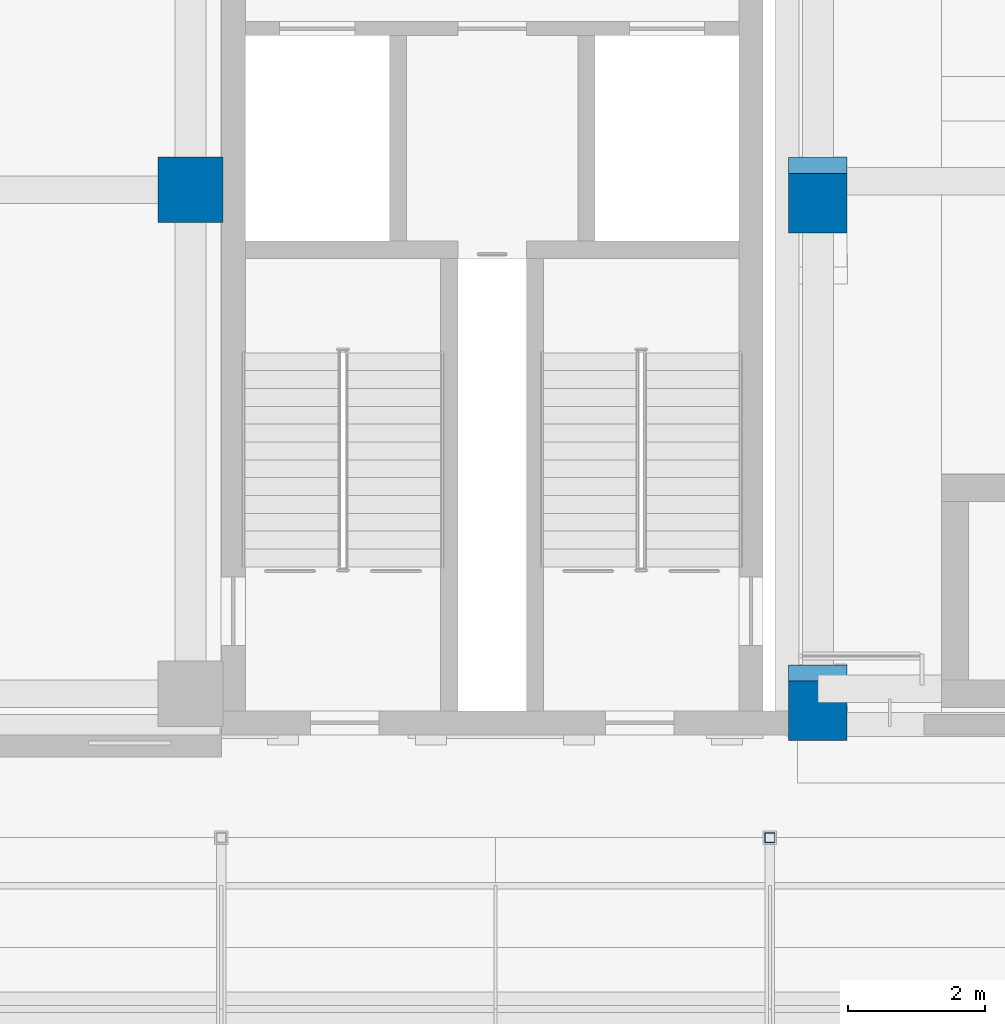
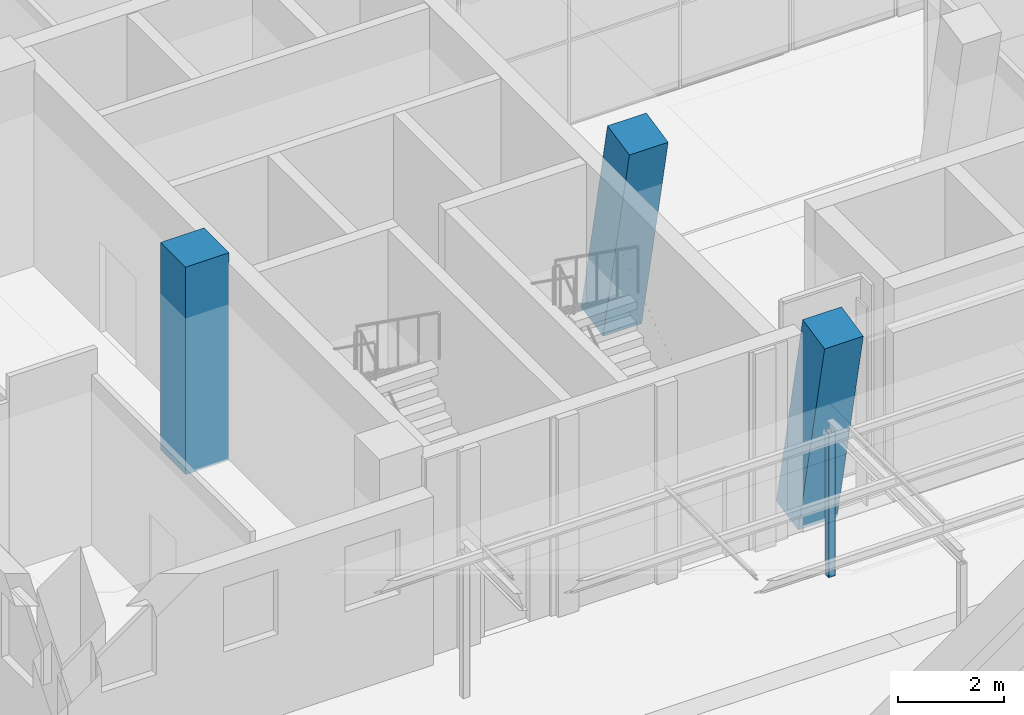
# One storey, part 8 of 144: 4 columns.
"""IFC4 building model written with IfcOpenShell, lengths in metres."""

from ifc_helpers import new_model, si_unit, direction, frame, origin, origin_2d, place, context, subcontext, project, spatial, rectangle, hollow_rectangle, extrude, material, material_profile, profile_set, type_object, element, save


model = new_model("IFC4")

# Units and contexts
model_context = context("Model", 3, precision=1e-05, world=origin(), true_north=direction((0.0, 1.0)))
body_context = subcontext(model_context, "Body", "Model", "MODEL_VIEW")
ifc_project = project(units=[si_unit("LENGTHUNIT", "METRE"), si_unit("AREAUNIT", "SQUARE_METRE"), si_unit("VOLUMEUNIT", "CUBIC_METRE"), si_unit("PLANEANGLEUNIT", "RADIAN"), si_unit("MASSUNIT", "GRAM", prefix="KILO")], contexts=[model_context])

# Site, building, storey
site_placement = place(None, origin())
site = spatial("IfcSite", under=ifc_project, at=site_placement, CompositionType="ELEMENT")
building_placement = place(site_placement, origin())
building = spatial("IfcBuilding", under=site, at=building_placement, Name="Lantern Court Media Centre", CompositionType="ELEMENT")
storey_placement = place(building_placement, origin())
storey = spatial("IfcBuildingStorey", under=building, at=storey_placement, Name="L00", CompositionType="ELEMENT", Elevation=0.0)

# Columns
ifc_material_1 = material(Name="Steel S355J2 (EN 10025-2)", Category="steel")
ifc_material_profile_1 = material_profile(ifc_material_1, hollow_rectangle(XDim=0.14990234375, YDim=0.14990234375, WallThickness=0.00634765625, InnerFilletRadius=0.00634765625, OuterFilletRadius=0.009521484375, at=origin_2d()), Name="Cloister canopy post SHS 150x6.3")
ifc_profile_set_1 = profile_set([ifc_material_profile_1], Name="Steel S355J2 (EN 10025-2)")
column_type_1 = type_object("IfcColumnType", Name="Cloister canopy post SHS 150x6.3", PredefinedType="COLUMN", material=ifc_profile_set_1)
column_1_placement = place(storey_placement, frame((24.0, 46.5, 0.0), z_axis=(0.0, 0.0, 1.0), x_axis=(1.0, 0.0, 0.0)))
element("IfcColumn", 1, at=column_1_placement, inside=storey, type_object=column_type_1, Name="Cloister post 1-4-2", PredefinedType="COLUMN", context=body_context, shape_type="SweptSolid", body=[
    extrude(hollow_rectangle(XDim=0.14990234375, YDim=0.14990234375, WallThickness=0.00634765625, InnerFilletRadius=0.00634765625, OuterFilletRadius=0.009521484375, at=origin_2d()), origin(), (0.0, 0.0, 1.0), 3.330078125),
])
ifc_material_2 = material(Name="Concrete C35", Category="concrete")
ifc_material_profile_2 = material_profile(ifc_material_2, rectangle(XDim=0.85009765625, YDim=0.85009765625, at=origin_2d()), Name="RC 850x850")
ifc_profile_set_2 = profile_set([ifc_material_profile_2], Name="Concrete C35")
column_type_2 = type_object("IfcColumnType", Name="RC COLUMN 850x850", PredefinedType="COLUMN", material=ifc_profile_set_2)
for number, where, z_axis, x_axis, name in (
    (2, (24.699951171875, 48.60009765625, 0.0), (0.0, -0.203952265704, 0.978980833987), (1.0, 0.0, 0.0), "C-S-0-0-L00"),
    (3, (24.699951171875, 56.0, 0.0), (0.0, -0.203952265704, 0.978980833987), (1.0, 0.0, 0.0), "C-S-1-0-L00"),
):
    element("IfcColumn", number, at=place(storey_placement, frame(where, z_axis=z_axis, x_axis=x_axis)), inside=storey, type_object=column_type_2, Name=name, PredefinedType="COLUMN", context=body_context, shape_type="SweptSolid", body=[
        extrude(rectangle(XDim=0.85009765625, YDim=0.85009765625, at=origin_2d()), origin(), (0.0, 0.0, 1.0), 4.903076171875),
    ])
ifc_material_profile_3 = material_profile(ifc_material_2, rectangle(XDim=0.949951171875, YDim=0.949951171875, at=origin_2d()), Name="RC 950x950")
ifc_profile_set_3 = profile_set([ifc_material_profile_3], Name="Concrete C35")
column_type_3 = type_object("IfcColumnType", Name="RC COLUMN 950x950", PredefinedType="COLUMN", material=ifc_profile_set_3)
column_2_placement = place(storey_placement, frame((15.550048828125, 55.949951171875, 0.0), z_axis=(0.0, 0.0, 1.0), x_axis=(1.0, 0.0, 0.0)))
element("IfcColumn", 4, at=column_2_placement, inside=storey, type_object=column_type_3, Name="C-SW-4-L00", PredefinedType="COLUMN", context=body_context, shape_type="SweptSolid", body=[
    extrude(rectangle(XDim=0.949951171875, YDim=0.949951171875, at=origin_2d()), origin(), (0.0, 0.0, 1.0), 4.800048828125),
])

save(model, "model.ifc")
